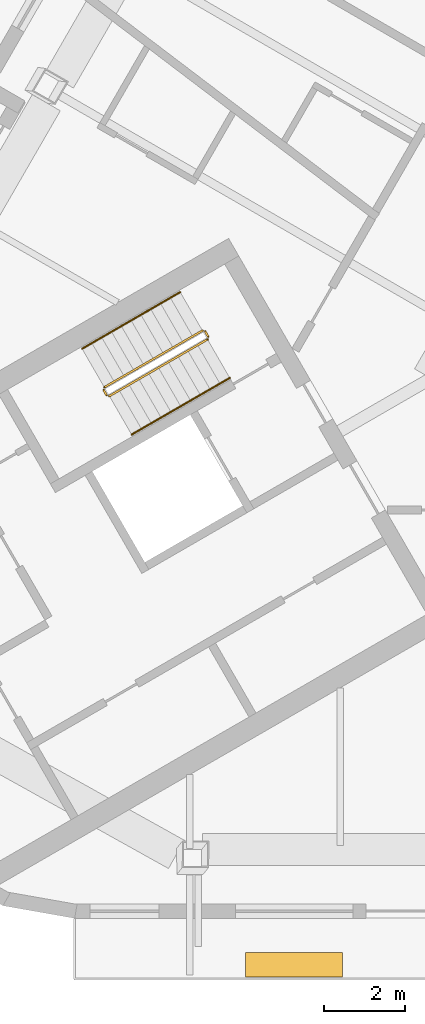
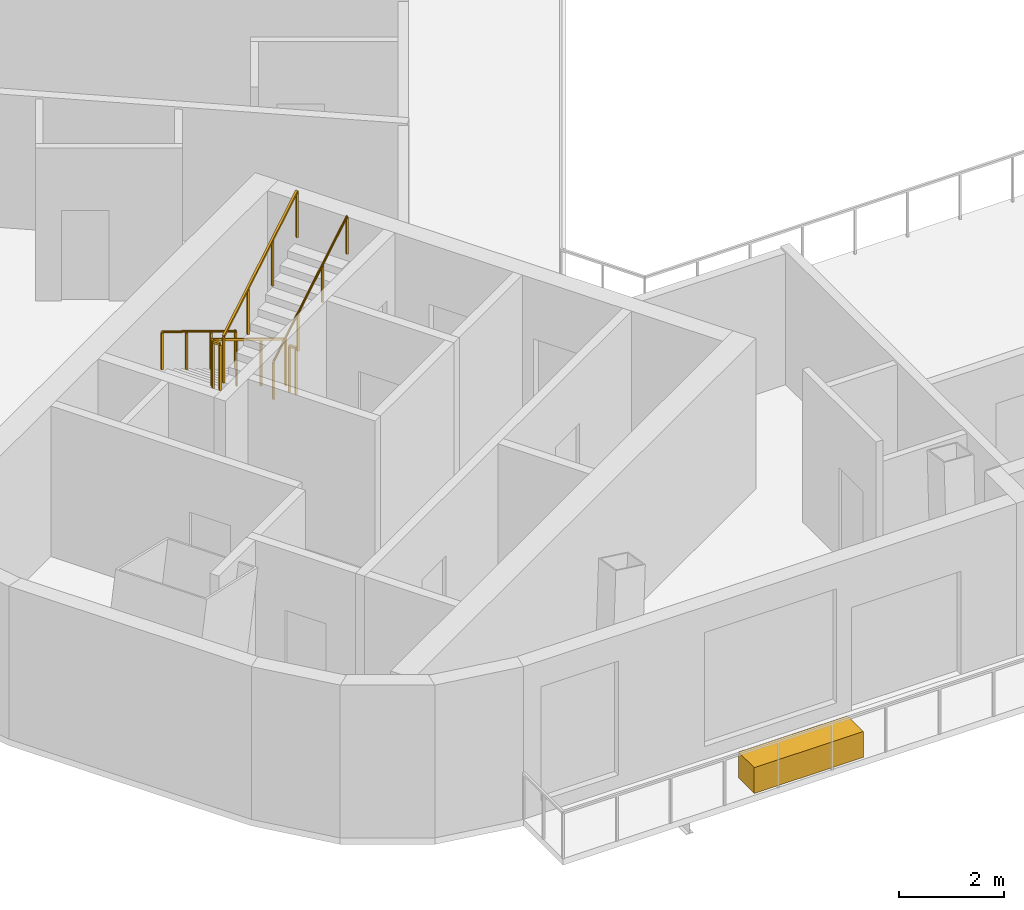
# One storey, part 9 of 13: 6 railings, 1 covering.
"""IFC4 building model written with IfcOpenShell, lengths in metres."""

from ifc_helpers import new_model, si_unit, direction, frame, origin, origin_2d, place, context, subcontext, project, spatial, rectangle, circle, extrude, material, type_object, element, save


model = new_model("IFC4")

# Units and contexts
model_context = context("Model", 3, precision=1e-05, world=origin(), true_north=direction((0.0, 1.0)))
body_context = subcontext(model_context, "Body", "Model", "MODEL_VIEW")
ifc_project = project(units=[si_unit("LENGTHUNIT", "METRE"), si_unit("AREAUNIT", "SQUARE_METRE"), si_unit("VOLUMEUNIT", "CUBIC_METRE"), si_unit("PLANEANGLEUNIT", "RADIAN"), si_unit("MASSUNIT", "GRAM", prefix="KILO")], contexts=[model_context])

# Site, building, storey
site_placement = place(None, origin())
site = spatial("IfcSite", under=ifc_project, at=site_placement, CompositionType="ELEMENT")
building_placement = place(site_placement, origin())
building = spatial("IfcBuilding", under=site, at=building_placement, Name="Apuvela Tower Hotel", CompositionType="ELEMENT")
storey_placement = place(building_placement, frame((0.0, 0.0, 276.300048828125)))
storey = spatial("IfcBuildingStorey", under=building, at=storey_placement, Name="L68", CompositionType="ELEMENT", Elevation=276.300048828125)

# Railings
ifc_material_1 = material(Name="Steel S275 balustrade", Category="steel")
railing_type_1 = type_object("IfcRailingType", Name="COR-GUARD-1100", PredefinedType="GUARDRAIL", material=ifc_material_1)
railing_1_placement = place(storey_placement, frame((-14.569091796875, -3.9658203125, 0.168212890625)))
element("IfcRailing", 1, at=railing_1_placement, inside=storey, type_object=railing_type_1, Name="L68 ST2 stair guard 1", PredefinedType="GUARDRAIL", context=body_context, shape_type="SweptSolid", body=[
    extrude(rectangle(XDim=0.048095703125, YDim=0.048095703125, at=origin_2d()), frame((0.0, 0.0, 1.076171875), z_axis=(-0.74241905619, -0.428617687091, 0.514879426), x_axis=(0.49998411664, -0.866034573852, 0.0)), (0.0, 0.0, 1.0), 3.26611328125),
    extrude(rectangle(XDim=0.0419921875, YDim=0.0419921875, at=origin_2d()), origin(), (0.0, 0.0, 1.0), 1.052001953125),
    extrude(rectangle(XDim=0.0419921875, YDim=0.0419921875, at=origin_2d()), frame((-0.808349609375, -0.466552734375, 0.560546875)), (0.0, 0.0, 1.0), 1.052001953125),
    extrude(rectangle(XDim=0.0419921875, YDim=0.0419921875, at=origin_2d()), frame((-1.616455078125, -0.933349609375, 1.12109375)), (0.0, 0.0, 1.0), 1.052001953125),
    extrude(rectangle(XDim=0.0419921875, YDim=0.0419921875, at=origin_2d()), frame((-2.4248046875, -1.39990234375, 1.681640625)), (0.0, 0.0, 1.0), 1.052001953125),
])
railing_2_placement = place(storey_placement, frame((-17.01220703125, -5.43408203125, 1.849853515625)))
element("IfcRailing", 2, at=railing_2_placement, inside=storey, type_object=railing_type_1, Name="L68 ST2 stair guard 2", PredefinedType="GUARDRAIL", context=body_context, shape_type="SweptSolid", body=[
    extrude(rectangle(XDim=0.048095703125, YDim=0.048095703125, at=origin_2d()), frame((0.0, 0.0, 1.076171875), z_axis=(0.499816412211, -0.866131372301, 0.0), x_axis=(0.866131372301, 0.499816412211, 0.0)), (0.0, 0.0, 1.0), 0.14990234375),
    extrude(rectangle(XDim=0.0419921875, YDim=0.0419921875, at=origin_2d()), origin(), (0.0, 0.0, 1.0), 1.052001953125),
    extrude(rectangle(XDim=0.0419921875, YDim=0.0419921875, at=origin_2d()), frame((0.074951171875, -0.1298828125, 0.0)), (0.0, 0.0, 1.0), 1.052001953125),
])
railing_3_placement = place(storey_placement, frame((-16.868896484375, -5.582275390625, 2.01806640625)))
element("IfcRailing", 3, at=railing_3_placement, inside=storey, type_object=railing_type_1, Name="L68 ST2 stair guard 3", PredefinedType="GUARDRAIL", context=body_context, shape_type="SweptSolid", body=[
    extrude(rectangle(XDim=0.048095703125, YDim=0.048095703125, at=origin_2d()), frame((0.0, 0.0, 1.076171875), z_axis=(0.742390482028, 0.42860119049, 0.514934356695), x_axis=(-0.49998411664, 0.866034573852, 0.0)), (0.0, 0.0, 1.0), 3.26611328125),
    extrude(rectangle(XDim=0.0419921875, YDim=0.0419921875, at=origin_2d()), origin(), (0.0, 0.0, 1.0), 1.052001953125),
    extrude(rectangle(XDim=0.0419921875, YDim=0.0419921875, at=origin_2d()), frame((0.808349609375, 0.466552734375, 0.560546875)), (0.0, 0.0, 1.0), 1.052001953125),
    extrude(rectangle(XDim=0.0419921875, YDim=0.0419921875, at=origin_2d()), frame((1.616455078125, 0.933349609375, 1.121337890625)), (0.0, 0.0, 1.0), 1.052001953125),
    extrude(rectangle(XDim=0.0419921875, YDim=0.0419921875, at=origin_2d()), frame((2.4248046875, 1.39990234375, 1.681884765625)), (0.0, 0.0, 1.0), 1.052001953125),
])
railing_4_placement = place(storey_placement, frame((-14.500732421875, -3.984130859375, 0.0)))
element("IfcRailing", 4, at=railing_4_placement, inside=storey, type_object=railing_type_1, Name="L68 ST2 stair guard 4", PredefinedType="GUARDRAIL", context=body_context, shape_type="SweptSolid", body=[
    extrude(rectangle(XDim=0.048095703125, YDim=0.048095703125, at=origin_2d()), frame((0.0, 0.0, 1.076171875), z_axis=(0.499816412211, -0.866131372301, 0.0), x_axis=(0.866131372301, 0.499816412211, 0.0)), (0.0, 0.0, 1.0), 0.14990234375),
    extrude(rectangle(XDim=0.0419921875, YDim=0.0419921875, at=origin_2d()), origin(), (0.0, 0.0, 1.0), 1.052001953125),
    extrude(rectangle(XDim=0.0419921875, YDim=0.0419921875, at=origin_2d()), frame((0.074951171875, -0.1298828125, 0.0)), (0.0, 0.0, 1.0), 1.052001953125),
])
ifc_material_2 = material(Name="Stainless steel 316 handrail", Category="steel")
railing_type_2 = type_object("IfcRailingType", Name="COR-HANDRAIL-900", PredefinedType="HANDRAIL", material=ifc_material_2)
railing_5_placement = place(storey_placement, frame((-15.118896484375, -3.01318359375, 0.168212890625)))
element("IfcRailing", 5, at=railing_5_placement, inside=storey, type_object=railing_type_2, Name="L68 ST2 stair handrail 1", PredefinedType="HANDRAIL", context=body_context, shape_type="SweptSolid", body=[
    extrude(circle(Radius=0.02392578125, at=origin_2d()), frame((0.0, 0.0, 0.8759765625), z_axis=(-0.742452602333, -0.428593901316, 0.514850853203), x_axis=(0.49994636267, -0.866056369097, 0.0)), (0.0, 0.0, 1.0), 3.266357421875),
    extrude(rectangle(XDim=0.0419921875, YDim=0.0419921875, at=origin_2d()), origin(), (0.0, 0.0, 1.0), 0.851806640625),
    extrude(rectangle(XDim=0.0419921875, YDim=0.0419921875, at=origin_2d()), frame((-0.808349609375, -0.466552734375, 0.560546875)), (0.0, 0.0, 1.0), 0.851806640625),
    extrude(rectangle(XDim=0.0419921875, YDim=0.0419921875, at=origin_2d()), frame((-1.61669921875, -0.933349609375, 1.12109375)), (0.0, 0.0, 1.0), 0.851806640625),
    extrude(rectangle(XDim=0.0419921875, YDim=0.0419921875, at=origin_2d()), frame((-2.425048828125, -1.39990234375, 1.681640625)), (0.0, 0.0, 1.0), 0.851806640625),
])
railing_6_placement = place(storey_placement, frame((-16.31884765625, -6.534912109375, 2.01806640625)))
element("IfcRailing", 6, at=railing_6_placement, inside=storey, type_object=railing_type_2, Name="L68 ST2 stair handrail 2", PredefinedType="HANDRAIL", context=body_context, shape_type="SweptSolid", body=[
    extrude(circle(Radius=0.02392578125, at=origin_2d()), frame((0.0, 0.0, 0.8759765625), z_axis=(0.742390482028, 0.42860119049, 0.514934356695), x_axis=(-0.49998411664, 0.866034573852, 0.0)), (0.0, 0.0, 1.0), 3.26611328125),
    extrude(rectangle(XDim=0.0419921875, YDim=0.0419921875, at=origin_2d()), origin(), (0.0, 0.0, 1.0), 0.851806640625),
    extrude(rectangle(XDim=0.0419921875, YDim=0.0419921875, at=origin_2d()), frame((0.808349609375, 0.466552734375, 0.560546875)), (0.0, 0.0, 1.0), 0.851806640625),
    extrude(rectangle(XDim=0.0419921875, YDim=0.0419921875, at=origin_2d()), frame((1.616455078125, 0.933349609375, 1.121337890625)), (0.0, 0.0, 1.0), 0.851806640625),
    extrude(rectangle(XDim=0.0419921875, YDim=0.0419921875, at=origin_2d()), frame((2.4248046875, 1.39990234375, 1.681884765625)), (0.0, 0.0, 1.0), 0.851806640625),
])

# Covering
ifc_material_3 = material(Name="Planting substrate and soil, planted")
covering_type = type_object("IfcCoveringType", Name="ENV-PLANTER-2400x600", PredefinedType="USERDEFINED", material=ifc_material_3)
covering_placement = place(storey_placement, frame((-12.299560546875, -19.645751953125, 0.0), z_axis=(0.0, 0.0, 1.0), x_axis=(1.0, 0.0, 0.0)))
element("IfcCovering", 7, at=covering_placement, inside=storey, type_object=covering_type, Name="Planter S1", ObjectType="PLANTER", PredefinedType="USERDEFINED", context=body_context, shape_type="SweptSolid", body=[
    extrude(rectangle(XDim=2.39990234375, YDim=0.60009765625, at=origin_2d()), origin(), (0.0, 0.0, 1.0), 0.60009765625),
])

save(model, "model.ifc")
